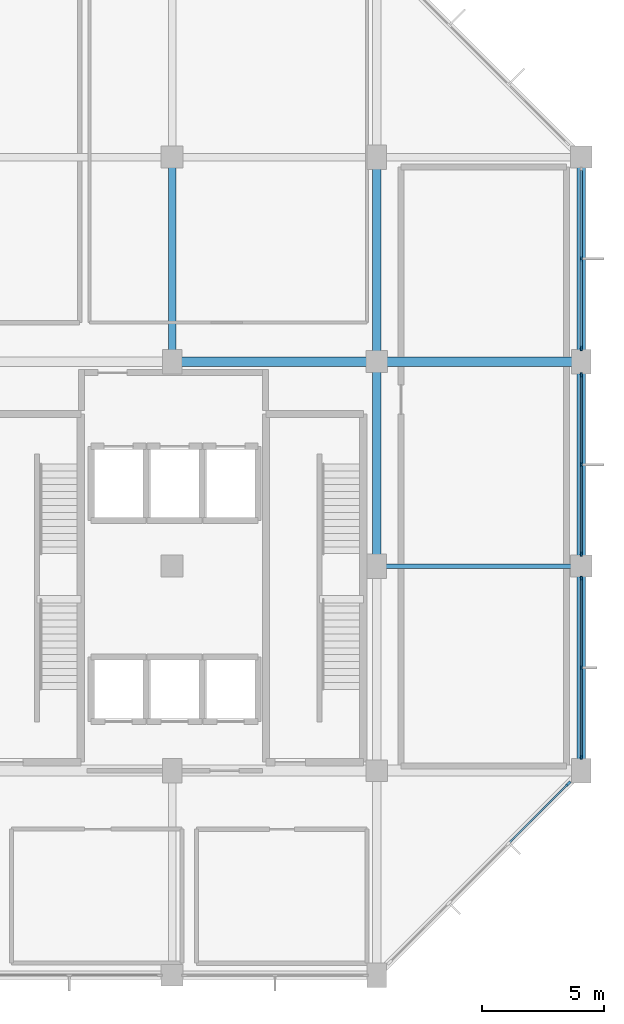
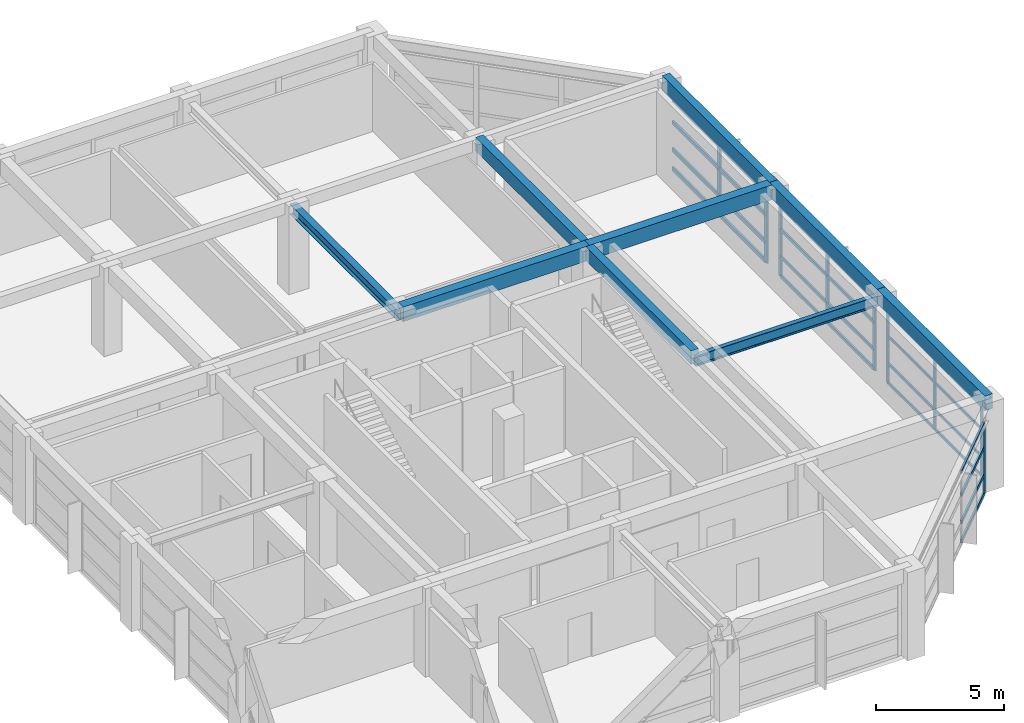
# One storey, part 5 of 12: 37 members, 9 beams, 4 elements without a shape of their own.
"""IFC4 building model written with IfcOpenShell, lengths in metres."""

import ifcopenshell
import ifcopenshell.guid

model = None  # the IFC model being written
_history = None  # IfcOwnerHistory: only IFC2X3 demands one
_inside = {}  # id of a spatial element -> (the spatial element, [elements in it])
_under = {}  # id of a project, library or spatial element -> (it, [spatial elements below it])
_declared = {}  # id of a project -> (the project, [libraries it declares])
_typed = {}  # id of a type object -> (the type object, [elements of that type])
_made_of = {}  # id of a material, layer set ... -> (it, [elements and type objects made of it])


def new_model(schema):
    """Start an empty IFC model of exactly this schema.

    Asked for "IFC4X3", IfcOpenShell would pick the latest addendum, in which some entities
    have other attributes; the version numbers below select the first issue.
    IFC2X3 requires an IfcOwnerHistory on every rooted entity: one is made here for all.
    """
    global model, _history
    if schema == "IFC4X3":
        model = ifcopenshell.file(schema_version=(4, 3, 0, 0))
    else:
        model = ifcopenshell.file(schema=schema)
    _inside.clear()
    _under.clear()
    _declared.clear()
    _typed.clear()
    _made_of.clear()
    _history = None
    if model.schema == "IFC2X3":
        org = make("IfcOrganization", Name="unknown")
        user = make(
            "IfcPersonAndOrganization",
            ThePerson=make("IfcPerson", FamilyName="unknown"),
            TheOrganization=org,
        )
        app = make(
            "IfcApplication",
            ApplicationDeveloper=org,
            Version="unknown",
            ApplicationFullName="unknown",
            ApplicationIdentifier="unknown",
        )
        _history = make(
            "IfcOwnerHistory",
            OwningUser=user,
            OwningApplication=app,
            ChangeAction="ADDED",
            CreationDate=0,
        )
    return model


def make(cls, **values):
    """One entity of the class cls with the attributes given. An attribute that is None is left unset."""
    return model.create_entity(
        cls, **{name: value for name, value in values.items() if value is not None}
    )


def rooted(cls, **values):
    """An entity with a GlobalId (a new one), such as an element, a storey or a relation."""
    return make(cls, GlobalId=ifcopenshell.guid.new(), OwnerHistory=_history, **values)


def si_unit(unit_type, name, prefix=None):
    """IfcSIUnit, for example si_unit("LENGTHUNIT", "METRE", prefix="MILLI")."""
    return make("IfcSIUnit", UnitType=unit_type, Prefix=prefix, Name=name)


def assignment(units):
    """IfcUnitAssignment: the units of a project."""
    return None if units is None else make("IfcUnitAssignment", Units=units)


def point(xyz):
    """IfcCartesianPoint."""
    return None if xyz is None else make("IfcCartesianPoint", Coordinates=xyz)


def direction(xyz):
    """IfcDirection."""
    return None if xyz is None else make("IfcDirection", DirectionRatios=xyz)


def frame(location, z_axis=None, x_axis=None):
    """IfcAxis2Placement3D, a coordinate frame: its origin and axes. An axis left out is left unset."""
    return make(
        "IfcAxis2Placement3D",
        Location=point(location),
        Axis=direction(z_axis),
        RefDirection=direction(x_axis),
    )


def frame_2d(location, x_axis=None):
    """IfcAxis2Placement2D, a coordinate frame in the plane: its origin and x axis."""
    return make(
        "IfcAxis2Placement2D", Location=point(location), RefDirection=direction(x_axis)
    )


def origin():
    """The frame at (0, 0, 0) with its axes left unset."""
    return frame((0.0, 0.0, 0.0))


def origin_2d():
    """The frame at (0, 0) in the plane with its x axis left unset."""
    return frame_2d((0.0, 0.0))


def place(relative_to, where):
    """IfcLocalPlacement: puts the frame where relative to a parent placement (None: the world)."""
    return make(
        "IfcLocalPlacement", PlacementRelTo=relative_to, RelativePlacement=where
    )


def context(
    kind, dimensions, precision=None, world=None, true_north=None, identifier=None
):
    """IfcGeometricRepresentationContext, for example the 3D "Model" context."""
    return make(
        "IfcGeometricRepresentationContext",
        ContextIdentifier=identifier,
        ContextType=kind,
        CoordinateSpaceDimension=dimensions,
        Precision=precision,
        WorldCoordinateSystem=world,
        TrueNorth=true_north,
    )


def subcontext(parent, identifier, kind, view, scale=None):
    """IfcGeometricRepresentationSubContext, for example "Body" below "Model"."""
    return make(
        "IfcGeometricRepresentationSubContext",
        ContextIdentifier=identifier,
        ContextType=kind,
        ParentContext=parent,
        TargetScale=scale,
        TargetView=view,
    )


def project(units=None, contexts=None):
    """IfcProject with its units and contexts."""
    return rooted(
        "IfcProject",
        Name="project",
        RepresentationContexts=contexts,
        UnitsInContext=assignment(units),
    )


def spatial(cls, under=None, at=None, **own):
    """A site, building, storey or space (cls), placed at a placement, below another one or the project."""
    s = rooted(cls, ObjectPlacement=at, **own)
    if under is not None:
        _under.setdefault(under.id(), (under, []))[1].append(s)
    return s


def profile(cls, at=None, kind="AREA", **sizes):
    """A parametric profile (cls). Its sizes go by their IFC names, for example OverallWidth=200.0."""
    return make(cls, ProfileType=kind, Position=at, **sizes)


def rectangle(**sizes):
    """IfcRectangleProfileDef."""
    return profile("IfcRectangleProfileDef", **sizes)


def i_section(**sizes):
    """IfcIShapeProfileDef."""
    return profile("IfcIShapeProfileDef", **sizes)


def extrude(swept, where, along, depth):
    """IfcExtrudedAreaSolid: the profile swept, set in the frame where, extruded along a direction by depth."""
    return make(
        "IfcExtrudedAreaSolid",
        SweptArea=swept,
        Position=where,
        ExtrudedDirection=direction(along),
        Depth=depth,
    )


def shape(context_of_items, identifier, shape_type, items):
    """IfcShapeRepresentation: the items that make up one representation, for example the "Body"."""
    return make(
        "IfcShapeRepresentation",
        ContextOfItems=context_of_items,
        RepresentationIdentifier=identifier,
        RepresentationType=shape_type,
        Items=items,
    )


def material(Name=None, Category=None):
    """IfcMaterial."""
    return make("IfcMaterial", Name=Name, Category=Category)


def material_profile(
    of_material, cross_section, Name=None, Category=None, Priority=None
):
    """IfcMaterialProfile: a cross section and its material."""
    return make(
        "IfcMaterialProfile",
        Name=Name,
        Material=of_material,
        Profile=cross_section,
        Priority=Priority,
        Category=Category,
    )


def profile_set(profiles, Name=None, composite=None):
    """IfcMaterialProfileSet."""
    return make(
        "IfcMaterialProfileSet",
        Name=Name,
        MaterialProfiles=profiles,
        CompositeProfile=composite,
    )


def made_of(thing, what):
    """Note that an element or type object is made of a material, layer set ...; save() writes the relation."""
    if what is not None:
        _made_of.setdefault(what.id(), (what, []))[1].append(thing)
    return thing


def type_object(cls, material=None, **own):
    """A type object (cls), such as IfcWallType, which elements share."""
    return made_of(rooted(cls, **own), material)


def element(
    cls,
    number,
    at=None,
    inside=None,
    cuts=None,
    type_object=None,
    material=None,
    context=None,
    identifier="Body",
    shape_type=None,
    held_by="IfcProductDefinitionShape",
    body=None,
    shapes=None,
    **own,
):
    """One element of the class cls, such as IfcWall. Its Tag is "e" and its number.

    at: its placement. inside: the storey or other place that contains it. cuts: it is an
    opening in that element (IfcRelVoidsElement). A single representation is given by context,
    identifier, shape_type and body (its items); several are given by shapes. held_by: the class
    of the entity that holds the representations. save() writes the other relations.
    """
    e = rooted(cls, Tag="e%d" % number, ObjectPlacement=at, **own)
    if body is not None:
        shapes = [shape(context, identifier, shape_type, body)]
    if shapes is not None:
        e.Representation = make(held_by, Representations=shapes)
    if inside is not None:
        _inside.setdefault(inside.id(), (inside, []))[1].append(e)
    if cuts is not None:
        rooted(
            "IfcRelVoidsElement", RelatingBuildingElement=cuts, RelatedOpeningElement=e
        )
    if type_object is not None:
        _typed.setdefault(type_object.id(), (type_object, []))[1].append(e)
    return made_of(e, material)


def aggregate(whole, parts):
    """IfcRelAggregates: a whole, such as a stair, and the parts it consists of."""
    return rooted("IfcRelAggregates", RelatingObject=whole, RelatedObjects=parts)


def save(model, path):
    """Write the relations noted so far, then the file.

    IfcRelAggregates (storeys below a building ...), IfcRelContainedInSpatialStructure (elements
    in a storey), IfcRelDefinesByType, IfcRelAssociatesMaterial and IfcRelDeclares: one each for
    every whole, place, type object, material and project.
    """
    for whole, parts in _under.values():
        aggregate(whole, parts)
    for where, things in _inside.values():
        rooted(
            "IfcRelContainedInSpatialStructure",
            RelatedElements=things,
            RelatingStructure=where,
        )
    for kind, things in _typed.values():
        rooted("IfcRelDefinesByType", RelatedObjects=things, RelatingType=kind)
    for what, things in _made_of.values():
        rooted("IfcRelAssociatesMaterial", RelatedObjects=things, RelatingMaterial=what)
    for by, libraries in _declared.values():
        rooted("IfcRelDeclares", RelatingContext=by, RelatedDefinitions=libraries)
    model.write(path)


model = new_model("IFC4")

# Units and contexts
model_context = context("Model", 3, precision=1e-05, world=origin(), true_north=direction((0.0, 1.0)))
body_context = subcontext(model_context, "Body", "Model", "MODEL_VIEW")
ifc_project = project(units=[si_unit("LENGTHUNIT", "METRE"), si_unit("AREAUNIT", "SQUARE_METRE"), si_unit("VOLUMEUNIT", "CUBIC_METRE"), si_unit("PLANEANGLEUNIT", "RADIAN"), si_unit("MASSUNIT", "GRAM", prefix="KILO")], contexts=[model_context])

# Site, building, storey
site_placement = place(None, origin())
site = spatial("IfcSite", under=ifc_project, at=site_placement, CompositionType="ELEMENT")
building_placement = place(site_placement, origin())
building = spatial("IfcBuilding", under=site, at=building_placement, Name="Xuanlan Plaza Opera House", CompositionType="ELEMENT")
storey_placement = place(building_placement, frame((0.0, 0.0, 61.5)))
storey = spatial("IfcBuildingStorey", under=building, at=storey_placement, Name="L14", CompositionType="ELEMENT", Elevation=61.5)

# Curtain wall, members
ifc_material_1 = material(Name="Anodised Aluminium 6063-T6 and Low-E Glass", Category="aluminium")
curtain_wall_type_1 = type_object("IfcCurtainWallType", Name="ENV-CW-CW-01", PredefinedType="USERDEFINED", material=ifc_material_1)
curtain_wall_1_placement = place(storey_placement, origin())
curtain_wall_1 = element("IfcCurtainWall", 1, at=curtain_wall_1_placement, inside=storey, type_object=curtain_wall_type_1, Name="Unitised Curtain Wall L14-005", ObjectType="UNITISED CURTAIN WALL", PredefinedType="USERDEFINED")
ifc_material_2 = material(Name="Anodised Aluminium 6063-T6", Category="aluminium")
ifc_material_profile_1 = material_profile(ifc_material_2, rectangle(XDim=0.06494140625, YDim=0.159912109375, at=origin_2d()), Name="ALU-M 65x160")
ifc_profile_set_1 = profile_set([ifc_material_profile_1], Name="Anodised Aluminium 6063-T6")
member_type_1 = type_object("IfcMemberType", Name="ENV-CWM-01", PredefinedType="MULLION", material=ifc_profile_set_1)
member_1_placement = place(storey_placement, frame((159.60009765625, 50.952392578125, 0.0), z_axis=(0.0, 0.0, 1.0), x_axis=(-1.0, 0.0, 0.0)))
member_1 = element("IfcMember", 2, at=member_1_placement, type_object=member_type_1, Name="CW-01 mullion 1", PredefinedType="MULLION", context=body_context, shape_type="SweptSolid", body=[
    extrude(rectangle(XDim=0.06494140625, YDim=0.159912109375, at=origin_2d()), origin(), (0.0, 0.0, 1.0), 3.3798828125),
])
member_2_placement = place(storey_placement, frame((159.60009765625, 54.625, 0.0), z_axis=(0.0, 0.0, 1.0), x_axis=(-1.0, 0.0, 0.0)))
member_2 = element("IfcMember", 3, at=member_2_placement, type_object=member_type_1, Name="CW-01 mullion 2", PredefinedType="MULLION", context=body_context, shape_type="SweptSolid", body=[
    extrude(rectangle(XDim=0.06494140625, YDim=0.159912109375, at=origin_2d()), origin(), (0.0, 0.0, 1.0), 3.3798828125),
])
member_3_placement = place(storey_placement, frame((159.60009765625, 58.297607421875, 0.0), z_axis=(0.0, 0.0, 1.0), x_axis=(-1.0, 0.0, 0.0)))
member_3 = element("IfcMember", 4, at=member_3_placement, type_object=member_type_1, Name="CW-01 mullion 3", PredefinedType="MULLION", context=body_context, shape_type="SweptSolid", body=[
    extrude(rectangle(XDim=0.06494140625, YDim=0.159912109375, at=origin_2d()), origin(), (0.0, 0.0, 1.0), 3.3798828125),
])

curtain_wall_type_2 = type_object("IfcCurtainWallType", Name="ENV-CW-CW-02", PredefinedType="USERDEFINED", material=ifc_material_1)
curtain_wall_2_placement = place(storey_placement, origin())
curtain_wall_2 = element("IfcCurtainWall", 5, at=curtain_wall_2_placement, inside=storey, type_object=curtain_wall_type_2, Name="Unitised Curtain Wall L14-006", ObjectType="UNITISED CURTAIN WALL", PredefinedType="USERDEFINED")
ifc_material_profile_2 = material_profile(ifc_material_2, rectangle(XDim=0.070068359375, YDim=0.179931640625, at=origin_2d()), Name="ALU-M 70x180")
ifc_profile_set_2 = profile_set([ifc_material_profile_2], Name="Anodised Aluminium 6063-T6")
member_type_2 = type_object("IfcMemberType", Name="ENV-CWM-02", PredefinedType="MULLION", material=ifc_profile_set_2)
member_4_placement = place(storey_placement, frame((159.60009765625, 59.304931640625, 0.0), z_axis=(0.0, 0.0, 1.0), x_axis=(-1.0, 0.0, 0.0)))
member_4 = element("IfcMember", 6, at=member_4_placement, type_object=member_type_2, Name="CW-02 mullion 1", PredefinedType="MULLION", context=body_context, shape_type="SweptSolid", body=[
    extrude(rectangle(XDim=0.070068359375, YDim=0.179931640625, at=origin_2d()), origin(), (0.0, 0.0, 1.0), 3.3798828125),
])
member_5_placement = place(storey_placement, frame((159.60009765625, 62.97509765625, 0.0), z_axis=(0.0, 0.0, 1.0), x_axis=(-1.0, 0.0, 0.0)))
member_5 = element("IfcMember", 7, at=member_5_placement, type_object=member_type_2, Name="CW-02 mullion 2", PredefinedType="MULLION", context=body_context, shape_type="SweptSolid", body=[
    extrude(rectangle(XDim=0.070068359375, YDim=0.179931640625, at=origin_2d()), origin(), (0.0, 0.0, 1.0), 3.3798828125),
])
member_6_placement = place(storey_placement, frame((159.60009765625, 66.64501953125, 0.0), z_axis=(0.0, 0.0, 1.0), x_axis=(-1.0, 0.0, 0.0)))
member_6 = element("IfcMember", 8, at=member_6_placement, type_object=member_type_2, Name="CW-02 mullion 3", PredefinedType="MULLION", context=body_context, shape_type="SweptSolid", body=[
    extrude(rectangle(XDim=0.070068359375, YDim=0.179931640625, at=origin_2d()), origin(), (0.0, 0.0, 1.0), 3.3798828125),
])

curtain_wall_type_3 = type_object("IfcCurtainWallType", Name="ENV-CW-CW-03", PredefinedType="USERDEFINED", material=ifc_material_1)
curtain_wall_3_placement = place(storey_placement, origin())
curtain_wall_3 = element("IfcCurtainWall", 9, at=curtain_wall_3_placement, inside=storey, type_object=curtain_wall_type_3, Name="Unitised Curtain Wall L14-007", ObjectType="UNITISED CURTAIN WALL", PredefinedType="USERDEFINED")
ifc_material_profile_3 = material_profile(ifc_material_2, rectangle(XDim=0.074951171875, YDim=0.199951171875, at=origin_2d()), Name="ALU-M 75x200")
ifc_profile_set_3 = profile_set([ifc_material_profile_3], Name="Anodised Aluminium 6063-T6")
member_type_3 = type_object("IfcMemberType", Name="ENV-CWM-03", PredefinedType="MULLION", material=ifc_profile_set_3)
member_7_placement = place(storey_placement, frame((159.60009765625, 67.757568359375, 0.0), z_axis=(0.0, 0.0, 1.0), x_axis=(-1.0, 0.0, 0.0)))
member_7 = element("IfcMember", 10, at=member_7_placement, type_object=member_type_3, Name="CW-03 mullion 1", PredefinedType="MULLION", context=body_context, shape_type="SweptSolid", body=[
    extrude(rectangle(XDim=0.074951171875, YDim=0.199951171875, at=origin_2d()), origin(), (0.0, 0.0, 1.0), 3.3798828125),
])
member_8_placement = place(storey_placement, frame((159.60009765625, 71.425048828125, 0.0), z_axis=(0.0, 0.0, 1.0), x_axis=(-1.0, 0.0, 0.0)))
member_8 = element("IfcMember", 11, at=member_8_placement, type_object=member_type_3, Name="CW-03 mullion 2", PredefinedType="MULLION", context=body_context, shape_type="SweptSolid", body=[
    extrude(rectangle(XDim=0.074951171875, YDim=0.199951171875, at=origin_2d()), origin(), (0.0, 0.0, 1.0), 3.3798828125),
])

# Curtain wall, member
curtain_wall_type_4 = type_object("IfcCurtainWallType", Name="ENV-CW-CW-04", PredefinedType="USERDEFINED", material=ifc_material_1)
curtain_wall_4_placement = place(storey_placement, origin())
curtain_wall_4 = element("IfcCurtainWall", 12, at=curtain_wall_4_placement, inside=storey, type_object=curtain_wall_type_4, Name="Unitised Curtain Wall L14-004", ObjectType="UNITISED CURTAIN WALL", PredefinedType="USERDEFINED")
ifc_material_profile_4 = material_profile(ifc_material_2, rectangle(XDim=0.090087890625, YDim=0.25, at=origin_2d()), Name="ALU-M 90x250")
ifc_profile_set_4 = profile_set([ifc_material_profile_4], Name="Anodised Aluminium 6063-T6")
member_type_4 = type_object("IfcMemberType", Name="ENV-CWM-05", PredefinedType="MULLION", material=ifc_profile_set_4)
member_9_placement = place(storey_placement, frame((159.069091796875, 49.869140625, 0.0), z_axis=(0.0, 0.0, 1.0), x_axis=(-0.707106781187, 0.707106781187, 0.0)))
member_9 = element("IfcMember", 13, at=member_9_placement, type_object=member_type_4, Name="CW-04 mullion 4", PredefinedType="MULLION", context=body_context, shape_type="SweptSolid", body=[
    extrude(rectangle(XDim=0.090087890625, YDim=0.25, at=origin_2d()), origin(), (0.0, 0.0, 1.0), 3.3798828125),
])

# Member
ifc_material_profile_5 = material_profile(ifc_material_2, rectangle(XDim=0.06494140625, YDim=0.1201171875, at=origin_2d()), Name="ALU-T 65x120")
ifc_profile_set_5 = profile_set([ifc_material_profile_5], Name="Anodised Aluminium 6063-T6")
member_type_5 = type_object("IfcMemberType", Name="ENV-CWT-01", PredefinedType="USERDEFINED", material=ifc_profile_set_5)
member_10_placement = place(storey_placement, frame((159.60009765625, 50.985107421875, 0.032470703125), z_axis=(0.0, 1.0, 0.0), x_axis=(-1.0, 0.0, 0.0)))
member_10 = element("IfcMember", 14, at=member_10_placement, type_object=member_type_5, Name="CW-01 transom 1.1", ObjectType="TRANSOM", PredefinedType="USERDEFINED", context=body_context, shape_type="SweptSolid", body=[
    extrude(rectangle(XDim=0.06494140625, YDim=0.1201171875, at=origin_2d()), origin(), (0.0, 0.0, 1.0), 3.607421875),
])

member_11_placement = place(storey_placement, frame((159.60009765625, 50.985107421875, 0.949951171875), z_axis=(0.0, 1.0, 0.0), x_axis=(-1.0, 0.0, 0.0)))
member_11 = element("IfcMember", 15, at=member_11_placement, type_object=member_type_5, Name="CW-01 transom 1.2", ObjectType="TRANSOM", PredefinedType="USERDEFINED", context=body_context, shape_type="SweptSolid", body=[
    extrude(rectangle(XDim=0.06494140625, YDim=0.1201171875, at=origin_2d()), origin(), (0.0, 0.0, 1.0), 3.607421875),
])

member_12_placement = place(storey_placement, frame((159.60009765625, 50.985107421875, 2.25), z_axis=(0.0, 1.0, 0.0), x_axis=(-1.0, 0.0, 0.0)))
member_12 = element("IfcMember", 16, at=member_12_placement, type_object=member_type_5, Name="CW-01 transom 1.3", ObjectType="TRANSOM", PredefinedType="USERDEFINED", context=body_context, shape_type="SweptSolid", body=[
    extrude(rectangle(XDim=0.06494140625, YDim=0.1201171875, at=origin_2d()), origin(), (0.0, 0.0, 1.0), 3.607421875),
])

member_13_placement = place(storey_placement, frame((159.60009765625, 50.985107421875, 3.347412109375), z_axis=(0.0, 1.0, 0.0), x_axis=(-1.0, 0.0, 0.0)))
member_13 = element("IfcMember", 17, at=member_13_placement, type_object=member_type_5, Name="CW-01 transom 1.4", ObjectType="TRANSOM", PredefinedType="USERDEFINED", context=body_context, shape_type="SweptSolid", body=[
    extrude(rectangle(XDim=0.06494140625, YDim=0.1201171875, at=origin_2d()), origin(), (0.0, 0.0, 1.0), 3.607421875),
])

member_14_placement = place(storey_placement, frame((159.60009765625, 54.657470703125, 0.032470703125), z_axis=(0.0, 1.0, 0.0), x_axis=(-1.0, 0.0, 0.0)))
member_14 = element("IfcMember", 18, at=member_14_placement, type_object=member_type_5, Name="CW-01 transom 2.1", ObjectType="TRANSOM", PredefinedType="USERDEFINED", context=body_context, shape_type="SweptSolid", body=[
    extrude(rectangle(XDim=0.06494140625, YDim=0.1201171875, at=origin_2d()), origin(), (0.0, 0.0, 1.0), 3.607421875),
])

member_15_placement = place(storey_placement, frame((159.60009765625, 54.657470703125, 0.949951171875), z_axis=(0.0, 1.0, 0.0), x_axis=(-1.0, 0.0, 0.0)))
member_15 = element("IfcMember", 19, at=member_15_placement, type_object=member_type_5, Name="CW-01 transom 2.2", ObjectType="TRANSOM", PredefinedType="USERDEFINED", context=body_context, shape_type="SweptSolid", body=[
    extrude(rectangle(XDim=0.06494140625, YDim=0.1201171875, at=origin_2d()), origin(), (0.0, 0.0, 1.0), 3.607421875),
])

member_16_placement = place(storey_placement, frame((159.60009765625, 54.657470703125, 2.25), z_axis=(0.0, 1.0, 0.0), x_axis=(-1.0, 0.0, 0.0)))
member_16 = element("IfcMember", 20, at=member_16_placement, type_object=member_type_5, Name="CW-01 transom 2.3", ObjectType="TRANSOM", PredefinedType="USERDEFINED", context=body_context, shape_type="SweptSolid", body=[
    extrude(rectangle(XDim=0.06494140625, YDim=0.1201171875, at=origin_2d()), origin(), (0.0, 0.0, 1.0), 3.607421875),
])

member_17_placement = place(storey_placement, frame((159.60009765625, 54.657470703125, 3.347412109375), z_axis=(0.0, 1.0, 0.0), x_axis=(-1.0, 0.0, 0.0)))
member_17 = element("IfcMember", 21, at=member_17_placement, type_object=member_type_5, Name="CW-01 transom 2.4", ObjectType="TRANSOM", PredefinedType="USERDEFINED", context=body_context, shape_type="SweptSolid", body=[
    extrude(rectangle(XDim=0.06494140625, YDim=0.1201171875, at=origin_2d()), origin(), (0.0, 0.0, 1.0), 3.607421875),
])

aggregate(curtain_wall_1, [member_1, member_2, member_3, member_10, member_11, member_12, member_13, member_14, member_15, member_16, member_17])

ifc_material_profile_6 = material_profile(ifc_material_2, rectangle(XDim=0.074951171875, YDim=0.14990234375, at=origin_2d()), Name="ALU-T 75x150")
ifc_profile_set_6 = profile_set([ifc_material_profile_6], Name="Anodised Aluminium 6063-T6")
member_type_6 = type_object("IfcMemberType", Name="ENV-CWT-03", PredefinedType="USERDEFINED", material=ifc_profile_set_6)
member_18_placement = place(storey_placement, frame((159.60009765625, 59.340087890625, 0.03759765625), z_axis=(0.0, 1.0, 0.0), x_axis=(-1.0, 0.0, 0.0)))
member_18 = element("IfcMember", 22, at=member_18_placement, type_object=member_type_6, Name="CW-02 transom 1.1", ObjectType="TRANSOM", PredefinedType="USERDEFINED", context=body_context, shape_type="SweptSolid", body=[
    extrude(rectangle(XDim=0.074951171875, YDim=0.14990234375, at=origin_2d()), origin(), (0.0, 0.0, 1.0), 3.599853515625),
])

member_19_placement = place(storey_placement, frame((159.60009765625, 59.340087890625, 0.949951171875), z_axis=(0.0, 1.0, 0.0), x_axis=(-1.0, 0.0, 0.0)))
member_19 = element("IfcMember", 23, at=member_19_placement, type_object=member_type_6, Name="CW-02 transom 1.2", ObjectType="TRANSOM", PredefinedType="USERDEFINED", context=body_context, shape_type="SweptSolid", body=[
    extrude(rectangle(XDim=0.074951171875, YDim=0.14990234375, at=origin_2d()), origin(), (0.0, 0.0, 1.0), 3.599853515625),
])

member_20_placement = place(storey_placement, frame((159.60009765625, 59.340087890625, 2.25), z_axis=(0.0, 1.0, 0.0), x_axis=(-1.0, 0.0, 0.0)))
member_20 = element("IfcMember", 24, at=member_20_placement, type_object=member_type_6, Name="CW-02 transom 1.3", ObjectType="TRANSOM", PredefinedType="USERDEFINED", context=body_context, shape_type="SweptSolid", body=[
    extrude(rectangle(XDim=0.074951171875, YDim=0.14990234375, at=origin_2d()), origin(), (0.0, 0.0, 1.0), 3.599853515625),
])

member_21_placement = place(storey_placement, frame((159.60009765625, 59.340087890625, 3.342529296875), z_axis=(0.0, 1.0, 0.0), x_axis=(-1.0, 0.0, 0.0)))
member_21 = element("IfcMember", 25, at=member_21_placement, type_object=member_type_6, Name="CW-02 transom 1.4", ObjectType="TRANSOM", PredefinedType="USERDEFINED", context=body_context, shape_type="SweptSolid", body=[
    extrude(rectangle(XDim=0.074951171875, YDim=0.14990234375, at=origin_2d()), origin(), (0.0, 0.0, 1.0), 3.599853515625),
])

member_22_placement = place(storey_placement, frame((159.60009765625, 63.010009765625, 0.03759765625), z_axis=(0.0, 1.0, 0.0), x_axis=(-1.0, 0.0, 0.0)))
member_22 = element("IfcMember", 26, at=member_22_placement, type_object=member_type_6, Name="CW-02 transom 2.1", ObjectType="TRANSOM", PredefinedType="USERDEFINED", context=body_context, shape_type="SweptSolid", body=[
    extrude(rectangle(XDim=0.074951171875, YDim=0.14990234375, at=origin_2d()), origin(), (0.0, 0.0, 1.0), 3.60009765625),
])

member_23_placement = place(storey_placement, frame((159.60009765625, 63.010009765625, 0.949951171875), z_axis=(0.0, 1.0, 0.0), x_axis=(-1.0, 0.0, 0.0)))
member_23 = element("IfcMember", 27, at=member_23_placement, type_object=member_type_6, Name="CW-02 transom 2.2", ObjectType="TRANSOM", PredefinedType="USERDEFINED", context=body_context, shape_type="SweptSolid", body=[
    extrude(rectangle(XDim=0.074951171875, YDim=0.14990234375, at=origin_2d()), origin(), (0.0, 0.0, 1.0), 3.60009765625),
])

member_24_placement = place(storey_placement, frame((159.60009765625, 63.010009765625, 2.25), z_axis=(0.0, 1.0, 0.0), x_axis=(-1.0, 0.0, 0.0)))
member_24 = element("IfcMember", 28, at=member_24_placement, type_object=member_type_6, Name="CW-02 transom 2.3", ObjectType="TRANSOM", PredefinedType="USERDEFINED", context=body_context, shape_type="SweptSolid", body=[
    extrude(rectangle(XDim=0.074951171875, YDim=0.14990234375, at=origin_2d()), origin(), (0.0, 0.0, 1.0), 3.60009765625),
])

member_25_placement = place(storey_placement, frame((159.60009765625, 63.010009765625, 3.342529296875), z_axis=(0.0, 1.0, 0.0), x_axis=(-1.0, 0.0, 0.0)))
member_25 = element("IfcMember", 29, at=member_25_placement, type_object=member_type_6, Name="CW-02 transom 2.4", ObjectType="TRANSOM", PredefinedType="USERDEFINED", context=body_context, shape_type="SweptSolid", body=[
    extrude(rectangle(XDim=0.074951171875, YDim=0.14990234375, at=origin_2d()), origin(), (0.0, 0.0, 1.0), 3.60009765625),
])

aggregate(curtain_wall_2, [member_4, member_5, member_6, member_18, member_19, member_20, member_21, member_22, member_23, member_24, member_25])

ifc_material_profile_7 = material_profile(ifc_material_2, rectangle(XDim=0.080078125, YDim=0.1650390625, at=origin_2d()), Name="ALU-T 80x165")
ifc_profile_set_7 = profile_set([ifc_material_profile_7], Name="Anodised Aluminium 6063-T6")
member_type_7 = type_object("IfcMemberType", Name="ENV-CWT-04", PredefinedType="USERDEFINED", material=ifc_profile_set_7)
member_26_placement = place(storey_placement, frame((156.66552734375, 47.465576171875, 0.0400390625), z_axis=(0.707106781187, 0.707106781187, 0.0), x_axis=(-0.707106781187, 0.707106781187, 0.0)))
member_26 = element("IfcMember", 30, at=member_26_placement, type_object=member_type_7, Name="CW-04 transom 3.1", ObjectType="TRANSOM", PredefinedType="USERDEFINED", context=body_context, shape_type="SweptSolid", body=[
    extrude(rectangle(XDim=0.080078125, YDim=0.1650390625, at=origin_2d()), origin(), (0.0, 0.0, 1.0), 3.354248046875),
])

member_27_placement = place(storey_placement, frame((156.66552734375, 47.465576171875, 0.949951171875), z_axis=(0.707106781187, 0.707106781187, 0.0), x_axis=(-0.707106781187, 0.707106781187, 0.0)))
member_27 = element("IfcMember", 31, at=member_27_placement, type_object=member_type_7, Name="CW-04 transom 3.2", ObjectType="TRANSOM", PredefinedType="USERDEFINED", context=body_context, shape_type="SweptSolid", body=[
    extrude(rectangle(XDim=0.080078125, YDim=0.1650390625, at=origin_2d()), origin(), (0.0, 0.0, 1.0), 3.354248046875),
])

member_28_placement = place(storey_placement, frame((156.66552734375, 47.465576171875, 2.25), z_axis=(0.707106781187, 0.707106781187, 0.0), x_axis=(-0.707106781187, 0.707106781187, 0.0)))
member_28 = element("IfcMember", 32, at=member_28_placement, type_object=member_type_7, Name="CW-04 transom 3.3", ObjectType="TRANSOM", PredefinedType="USERDEFINED", context=body_context, shape_type="SweptSolid", body=[
    extrude(rectangle(XDim=0.080078125, YDim=0.1650390625, at=origin_2d()), origin(), (0.0, 0.0, 1.0), 3.354248046875),
])

member_29_placement = place(storey_placement, frame((156.66552734375, 47.465576171875, 3.340087890625), z_axis=(0.707106781187, 0.707106781187, 0.0), x_axis=(-0.707106781187, 0.707106781187, 0.0)))
member_29 = element("IfcMember", 33, at=member_29_placement, type_object=member_type_7, Name="CW-04 transom 3.4", ObjectType="TRANSOM", PredefinedType="USERDEFINED", context=body_context, shape_type="SweptSolid", body=[
    extrude(rectangle(XDim=0.080078125, YDim=0.1650390625, at=origin_2d()), origin(), (0.0, 0.0, 1.0), 3.354248046875),
])

aggregate(curtain_wall_4, [member_9, member_26, member_27, member_28, member_29])

ifc_material_profile_8 = material_profile(ifc_material_2, rectangle(XDim=0.090087890625, YDim=0.179931640625, at=origin_2d()), Name="ALU-T 90x180")
ifc_profile_set_8 = profile_set([ifc_material_profile_8], Name="Anodised Aluminium 6063-T6")
member_type_8 = type_object("IfcMemberType", Name="ENV-CWT-05", PredefinedType="USERDEFINED", material=ifc_profile_set_8)
member_30_placement = place(storey_placement, frame((159.60009765625, 67.794921875, 0.044921875), z_axis=(0.0, 1.0, 0.0), x_axis=(-1.0, 0.0, 0.0)))
member_30 = element("IfcMember", 34, at=member_30_placement, type_object=member_type_8, Name="CW-03 transom 1.1", ObjectType="TRANSOM", PredefinedType="USERDEFINED", context=body_context, shape_type="SweptSolid", body=[
    extrude(rectangle(XDim=0.090087890625, YDim=0.179931640625, at=origin_2d()), origin(), (0.0, 0.0, 1.0), 3.592529296875),
])

member_31_placement = place(storey_placement, frame((159.60009765625, 67.794921875, 0.949951171875), z_axis=(0.0, 1.0, 0.0), x_axis=(-1.0, 0.0, 0.0)))
member_31 = element("IfcMember", 35, at=member_31_placement, type_object=member_type_8, Name="CW-03 transom 1.2", ObjectType="TRANSOM", PredefinedType="USERDEFINED", context=body_context, shape_type="SweptSolid", body=[
    extrude(rectangle(XDim=0.090087890625, YDim=0.179931640625, at=origin_2d()), origin(), (0.0, 0.0, 1.0), 3.592529296875),
])

member_32_placement = place(storey_placement, frame((159.60009765625, 67.794921875, 2.25), z_axis=(0.0, 1.0, 0.0), x_axis=(-1.0, 0.0, 0.0)))
member_32 = element("IfcMember", 36, at=member_32_placement, type_object=member_type_8, Name="CW-03 transom 1.3", ObjectType="TRANSOM", PredefinedType="USERDEFINED", context=body_context, shape_type="SweptSolid", body=[
    extrude(rectangle(XDim=0.090087890625, YDim=0.179931640625, at=origin_2d()), origin(), (0.0, 0.0, 1.0), 3.592529296875),
])

member_33_placement = place(storey_placement, frame((159.60009765625, 67.794921875, 3.3349609375), z_axis=(0.0, 1.0, 0.0), x_axis=(-1.0, 0.0, 0.0)))
member_33 = element("IfcMember", 37, at=member_33_placement, type_object=member_type_8, Name="CW-03 transom 1.4", ObjectType="TRANSOM", PredefinedType="USERDEFINED", context=body_context, shape_type="SweptSolid", body=[
    extrude(rectangle(XDim=0.090087890625, YDim=0.179931640625, at=origin_2d()), origin(), (0.0, 0.0, 1.0), 3.592529296875),
])

member_34_placement = place(storey_placement, frame((159.60009765625, 71.46240234375, 0.044921875), z_axis=(0.0, 1.0, 0.0), x_axis=(-1.0, 0.0, 0.0)))
member_34 = element("IfcMember", 38, at=member_34_placement, type_object=member_type_8, Name="CW-03 transom 2.1", ObjectType="TRANSOM", PredefinedType="USERDEFINED", context=body_context, shape_type="SweptSolid", body=[
    extrude(rectangle(XDim=0.090087890625, YDim=0.179931640625, at=origin_2d()), origin(), (0.0, 0.0, 1.0), 3.592529296875),
])

member_35_placement = place(storey_placement, frame((159.60009765625, 71.46240234375, 0.949951171875), z_axis=(0.0, 1.0, 0.0), x_axis=(-1.0, 0.0, 0.0)))
member_35 = element("IfcMember", 39, at=member_35_placement, type_object=member_type_8, Name="CW-03 transom 2.2", ObjectType="TRANSOM", PredefinedType="USERDEFINED", context=body_context, shape_type="SweptSolid", body=[
    extrude(rectangle(XDim=0.090087890625, YDim=0.179931640625, at=origin_2d()), origin(), (0.0, 0.0, 1.0), 3.592529296875),
])

member_36_placement = place(storey_placement, frame((159.60009765625, 71.46240234375, 2.25), z_axis=(0.0, 1.0, 0.0), x_axis=(-1.0, 0.0, 0.0)))
member_36 = element("IfcMember", 40, at=member_36_placement, type_object=member_type_8, Name="CW-03 transom 2.3", ObjectType="TRANSOM", PredefinedType="USERDEFINED", context=body_context, shape_type="SweptSolid", body=[
    extrude(rectangle(XDim=0.090087890625, YDim=0.179931640625, at=origin_2d()), origin(), (0.0, 0.0, 1.0), 3.592529296875),
])

member_37_placement = place(storey_placement, frame((159.60009765625, 71.46240234375, 3.3349609375), z_axis=(0.0, 1.0, 0.0), x_axis=(-1.0, 0.0, 0.0)))
member_37 = element("IfcMember", 41, at=member_37_placement, type_object=member_type_8, Name="CW-03 transom 2.4", ObjectType="TRANSOM", PredefinedType="USERDEFINED", context=body_context, shape_type="SweptSolid", body=[
    extrude(rectangle(XDim=0.090087890625, YDim=0.179931640625, at=origin_2d()), origin(), (0.0, 0.0, 1.0), 3.592529296875),
])

aggregate(curtain_wall_3, [member_7, member_8, member_30, member_31, member_32, member_33, member_34, member_35, member_36, member_37])

# Beams
ifc_material_3 = material(Name="Concrete C40", Category="concrete")
ifc_material_profile_9 = material_profile(ifc_material_3, rectangle(XDim=0.39990234375, YDim=0.699951171875, at=origin_2d()), Name="RC-BM 400x700")
ifc_profile_set_9 = profile_set([ifc_material_profile_9], Name="Concrete C40")
beam_type_1 = type_object("IfcBeamType", Name="STR-BM-B-07", PredefinedType="BEAM", material=ifc_profile_set_9)
beam_1_placement = place(storey_placement, frame((142.800048828125, 67.199951171875, 3.85009765625), z_axis=(1.0, 0.0, 0.0), x_axis=(0.0, 1.0, 0.0)))
element("IfcBeam", 42, at=beam_1_placement, inside=storey, type_object=beam_type_1, Name="Grid Beam X L14 18-19/I", PredefinedType="BEAM", context=body_context, shape_type="SweptSolid", body=[
    extrude(rectangle(XDim=0.39990234375, YDim=0.699951171875, at=origin_2d()), origin(), (0.0, 0.0, 1.0), 8.39990234375),
])
beam_2_placement = place(storey_placement, frame((151.199951171875, 67.199951171875, 3.85009765625), z_axis=(1.0, 0.0, 0.0), x_axis=(0.0, 1.0, 0.0)))
element("IfcBeam", 43, at=beam_2_placement, inside=storey, type_object=beam_type_1, Name="Grid Beam X L14 19-20/I", PredefinedType="BEAM", context=body_context, shape_type="SweptSolid", body=[
    extrude(rectangle(XDim=0.39990234375, YDim=0.699951171875, at=origin_2d()), origin(), (0.0, 0.0, 1.0), 8.400146484375),
])
ifc_material_profile_10 = material_profile(ifc_material_3, rectangle(XDim=0.35009765625, YDim=0.64990234375, at=origin_2d()), Name="RC-BM 350x650")
ifc_profile_set_10 = profile_set([ifc_material_profile_10], Name="Concrete C40")
beam_type_2 = type_object("IfcBeamType", Name="STR-BM-B-08", PredefinedType="BEAM", material=ifc_profile_set_10)
beam_3_placement = place(storey_placement, frame((151.199951171875, 58.800048828125, 3.875), z_axis=(0.0, 1.0, 0.0), x_axis=(-1.0, 0.0, 0.0)))
element("IfcBeam", 44, at=beam_3_placement, inside=storey, type_object=beam_type_2, Name="Grid Beam Y L14 19/H-I", PredefinedType="BEAM", context=body_context, shape_type="SweptSolid", body=[
    extrude(rectangle(XDim=0.35009765625, YDim=0.64990234375, at=origin_2d()), origin(), (0.0, 0.0, 1.0), 8.39990234375),
])
beam_4_placement = place(storey_placement, frame((151.199951171875, 67.199951171875, 3.875), z_axis=(0.0, 1.0, 0.0), x_axis=(-1.0, 0.0, 0.0)))
element("IfcBeam", 45, at=beam_4_placement, inside=storey, type_object=beam_type_2, Name="Grid Beam Y L14 19/I-J", PredefinedType="BEAM", context=body_context, shape_type="SweptSolid", body=[
    extrude(rectangle(XDim=0.35009765625, YDim=0.64990234375, at=origin_2d()), origin(), (0.0, 0.0, 1.0), 8.400146484375),
])
ifc_material_4 = material(Name="Steel Q355B", Category="steel")
ifc_material_profile_11 = material_profile(ifc_material_4, i_section(OverallWidth=0.199951171875, OverallDepth=0.5, WebThickness=0.010009765625, FlangeThickness=0.01611328125, FilletRadius=0.02001953125, at=origin_2d()), Name="HN 500x200x10x16")
ifc_profile_set_11 = profile_set([ifc_material_profile_11], Name="Steel Q355B")
beam_type_3 = type_object("IfcBeamType", Name="STR-BM-SB-05", PredefinedType="BEAM", material=ifc_profile_set_11)
beam_5_placement = place(storey_placement, frame((151.199951171875, 58.800048828125, 3.705078125), z_axis=(1.0, 0.0, 0.0), x_axis=(0.0, 1.0, 0.0)))
element("IfcBeam", 46, at=beam_5_placement, inside=storey, type_object=beam_type_3, Name="Grid Beam X L14 19-20/H", PredefinedType="BEAM", context=body_context, shape_type="SweptSolid", body=[
    extrude(i_section(OverallWidth=0.199951171875, OverallDepth=0.5, WebThickness=0.010009765625, FlangeThickness=0.01611328125, FilletRadius=0.02001953125, at=origin_2d()), origin(), (0.0, 0.0, 1.0), 8.400146484375),
])
ifc_material_profile_12 = material_profile(ifc_material_4, i_section(OverallWidth=0.300048828125, OverallDepth=0.488037109375, WebThickness=0.010986328125, FlangeThickness=0.01806640625, FilletRadius=0.02197265625, at=origin_2d()), Name="HM 488x300x11x18")
ifc_profile_set_12 = profile_set([ifc_material_profile_12], Name="Steel Q355B")
beam_type_4 = type_object("IfcBeamType", Name="STR-BM-SB-07", PredefinedType="BEAM", material=ifc_profile_set_12)
beam_6_placement = place(storey_placement, frame((142.800048828125, 67.199951171875, 3.7109375), z_axis=(0.0, 1.0, 0.0), x_axis=(-1.0, 0.0, 0.0)))
element("IfcBeam", 47, at=beam_6_placement, inside=storey, type_object=beam_type_4, Name="Grid Beam Y L14 18/I-J", PredefinedType="BEAM", context=body_context, shape_type="SweptSolid", body=[
    extrude(i_section(OverallWidth=0.300048828125, OverallDepth=0.488037109375, WebThickness=0.010986328125, FlangeThickness=0.01806640625, FilletRadius=0.02197265625, at=origin_2d()), origin(), (0.0, 0.0, 1.0), 8.400146484375),
])
ifc_material_profile_13 = material_profile(ifc_material_3, rectangle(XDim=0.35009765625, YDim=0.699951171875, at=origin_2d()), Name="RC-SPD 350x700")
ifc_profile_set_13 = profile_set([ifc_material_profile_13], Name="Concrete C40")
beam_type_5 = type_object("IfcBeamType", Name="STR-BM-SP-02", PredefinedType="SPANDREL", material=ifc_profile_set_13)
beam_7_placement = place(storey_placement, frame((159.60009765625, 50.39990234375, 3.85009765625), z_axis=(0.0, 1.0, 0.0), x_axis=(-1.0, 0.0, 0.0)))
element("IfcBeam", 48, at=beam_7_placement, inside=storey, type_object=beam_type_5, Name="Grid Beam Y L14 20/G-H", PredefinedType="SPANDREL", context=body_context, shape_type="SweptSolid", body=[
    extrude(rectangle(XDim=0.35009765625, YDim=0.699951171875, at=origin_2d()), origin(), (0.0, 0.0, 1.0), 8.400146484375),
])
beam_8_placement = place(storey_placement, frame((159.60009765625, 58.800048828125, 3.85009765625), z_axis=(0.0, 1.0, 0.0), x_axis=(-1.0, 0.0, 0.0)))
element("IfcBeam", 49, at=beam_8_placement, inside=storey, type_object=beam_type_5, Name="Grid Beam Y L14 20/H-I", PredefinedType="SPANDREL", context=body_context, shape_type="SweptSolid", body=[
    extrude(rectangle(XDim=0.35009765625, YDim=0.699951171875, at=origin_2d()), origin(), (0.0, 0.0, 1.0), 8.39990234375),
])
beam_9_placement = place(storey_placement, frame((159.60009765625, 67.199951171875, 3.85009765625), z_axis=(0.0, 1.0, 0.0), x_axis=(-1.0, 0.0, 0.0)))
element("IfcBeam", 50, at=beam_9_placement, inside=storey, type_object=beam_type_5, Name="Grid Beam Y L14 20/I-J", PredefinedType="SPANDREL", context=body_context, shape_type="SweptSolid", body=[
    extrude(rectangle(XDim=0.35009765625, YDim=0.699951171875, at=origin_2d()), origin(), (0.0, 0.0, 1.0), 8.400146484375),
])

save(model, "model.ifc")
